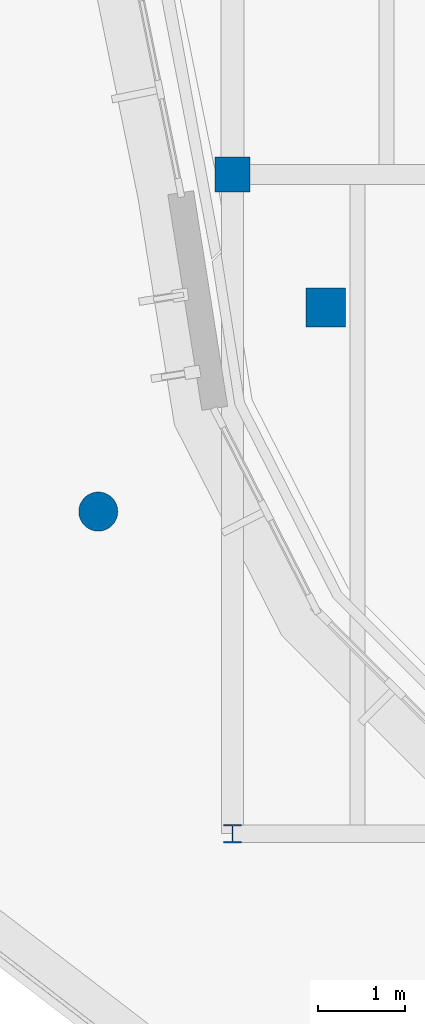
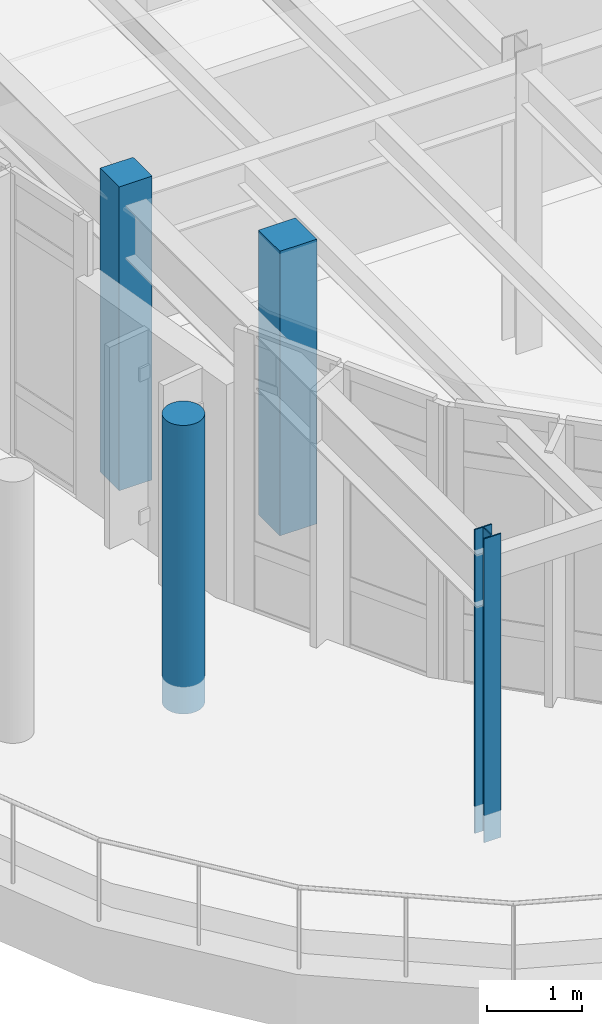
# One storey, part 5 of 111: 4 columns.
"""IFC4 building model written with IfcOpenShell, lengths in metres."""

import ifcopenshell
import ifcopenshell.guid

model = None  # the IFC model being written
_history = None  # IfcOwnerHistory: only IFC2X3 demands one
_inside = {}  # id of a spatial element -> (the spatial element, [elements in it])
_under = {}  # id of a project, library or spatial element -> (it, [spatial elements below it])
_declared = {}  # id of a project -> (the project, [libraries it declares])
_typed = {}  # id of a type object -> (the type object, [elements of that type])
_made_of = {}  # id of a material, layer set ... -> (it, [elements and type objects made of it])


def new_model(schema):
    """Start an empty IFC model of exactly this schema.

    Asked for "IFC4X3", IfcOpenShell would pick the latest addendum, in which some entities
    have other attributes; the version numbers below select the first issue.
    IFC2X3 requires an IfcOwnerHistory on every rooted entity: one is made here for all.
    """
    global model, _history
    if schema == "IFC4X3":
        model = ifcopenshell.file(schema_version=(4, 3, 0, 0))
    else:
        model = ifcopenshell.file(schema=schema)
    _inside.clear()
    _under.clear()
    _declared.clear()
    _typed.clear()
    _made_of.clear()
    _history = None
    if model.schema == "IFC2X3":
        org = make("IfcOrganization", Name="unknown")
        user = make(
            "IfcPersonAndOrganization",
            ThePerson=make("IfcPerson", FamilyName="unknown"),
            TheOrganization=org,
        )
        app = make(
            "IfcApplication",
            ApplicationDeveloper=org,
            Version="unknown",
            ApplicationFullName="unknown",
            ApplicationIdentifier="unknown",
        )
        _history = make(
            "IfcOwnerHistory",
            OwningUser=user,
            OwningApplication=app,
            ChangeAction="ADDED",
            CreationDate=0,
        )
    return model


def make(cls, **values):
    """One entity of the class cls with the attributes given. An attribute that is None is left unset."""
    return model.create_entity(
        cls, **{name: value for name, value in values.items() if value is not None}
    )


def rooted(cls, **values):
    """An entity with a GlobalId (a new one), such as an element, a storey or a relation."""
    return make(cls, GlobalId=ifcopenshell.guid.new(), OwnerHistory=_history, **values)


def si_unit(unit_type, name, prefix=None):
    """IfcSIUnit, for example si_unit("LENGTHUNIT", "METRE", prefix="MILLI")."""
    return make("IfcSIUnit", UnitType=unit_type, Prefix=prefix, Name=name)


def assignment(units):
    """IfcUnitAssignment: the units of a project."""
    return None if units is None else make("IfcUnitAssignment", Units=units)


def point(xyz):
    """IfcCartesianPoint."""
    return None if xyz is None else make("IfcCartesianPoint", Coordinates=xyz)


def direction(xyz):
    """IfcDirection."""
    return None if xyz is None else make("IfcDirection", DirectionRatios=xyz)


def frame(location, z_axis=None, x_axis=None):
    """IfcAxis2Placement3D, a coordinate frame: its origin and axes. An axis left out is left unset."""
    return make(
        "IfcAxis2Placement3D",
        Location=point(location),
        Axis=direction(z_axis),
        RefDirection=direction(x_axis),
    )


def frame_2d(location, x_axis=None):
    """IfcAxis2Placement2D, a coordinate frame in the plane: its origin and x axis."""
    return make(
        "IfcAxis2Placement2D", Location=point(location), RefDirection=direction(x_axis)
    )


def origin():
    """The frame at (0, 0, 0) with its axes left unset."""
    return frame((0.0, 0.0, 0.0))


def origin_2d():
    """The frame at (0, 0) in the plane with its x axis left unset."""
    return frame_2d((0.0, 0.0))


def place(relative_to, where):
    """IfcLocalPlacement: puts the frame where relative to a parent placement (None: the world)."""
    return make(
        "IfcLocalPlacement", PlacementRelTo=relative_to, RelativePlacement=where
    )


def context(
    kind, dimensions, precision=None, world=None, true_north=None, identifier=None
):
    """IfcGeometricRepresentationContext, for example the 3D "Model" context."""
    return make(
        "IfcGeometricRepresentationContext",
        ContextIdentifier=identifier,
        ContextType=kind,
        CoordinateSpaceDimension=dimensions,
        Precision=precision,
        WorldCoordinateSystem=world,
        TrueNorth=true_north,
    )


def subcontext(parent, identifier, kind, view, scale=None):
    """IfcGeometricRepresentationSubContext, for example "Body" below "Model"."""
    return make(
        "IfcGeometricRepresentationSubContext",
        ContextIdentifier=identifier,
        ContextType=kind,
        ParentContext=parent,
        TargetScale=scale,
        TargetView=view,
    )


def project(units=None, contexts=None):
    """IfcProject with its units and contexts."""
    return rooted(
        "IfcProject",
        Name="project",
        RepresentationContexts=contexts,
        UnitsInContext=assignment(units),
    )


def spatial(cls, under=None, at=None, **own):
    """A site, building, storey or space (cls), placed at a placement, below another one or the project."""
    s = rooted(cls, ObjectPlacement=at, **own)
    if under is not None:
        _under.setdefault(under.id(), (under, []))[1].append(s)
    return s


def profile(cls, at=None, kind="AREA", **sizes):
    """A parametric profile (cls). Its sizes go by their IFC names, for example OverallWidth=200.0."""
    return make(cls, ProfileType=kind, Position=at, **sizes)


def rectangle(**sizes):
    """IfcRectangleProfileDef."""
    return profile("IfcRectangleProfileDef", **sizes)


def circle(**sizes):
    """IfcCircleProfileDef."""
    return profile("IfcCircleProfileDef", **sizes)


def i_section(**sizes):
    """IfcIShapeProfileDef."""
    return profile("IfcIShapeProfileDef", **sizes)


def extrude(swept, where, along, depth):
    """IfcExtrudedAreaSolid: the profile swept, set in the frame where, extruded along a direction by depth."""
    return make(
        "IfcExtrudedAreaSolid",
        SweptArea=swept,
        Position=where,
        ExtrudedDirection=direction(along),
        Depth=depth,
    )


def shape(context_of_items, identifier, shape_type, items):
    """IfcShapeRepresentation: the items that make up one representation, for example the "Body"."""
    return make(
        "IfcShapeRepresentation",
        ContextOfItems=context_of_items,
        RepresentationIdentifier=identifier,
        RepresentationType=shape_type,
        Items=items,
    )


def material(Name=None, Category=None):
    """IfcMaterial."""
    return make("IfcMaterial", Name=Name, Category=Category)


def material_profile(
    of_material, cross_section, Name=None, Category=None, Priority=None
):
    """IfcMaterialProfile: a cross section and its material."""
    return make(
        "IfcMaterialProfile",
        Name=Name,
        Material=of_material,
        Profile=cross_section,
        Priority=Priority,
        Category=Category,
    )


def profile_set(profiles, Name=None, composite=None):
    """IfcMaterialProfileSet."""
    return make(
        "IfcMaterialProfileSet",
        Name=Name,
        MaterialProfiles=profiles,
        CompositeProfile=composite,
    )


def made_of(thing, what):
    """Note that an element or type object is made of a material, layer set ...; save() writes the relation."""
    if what is not None:
        _made_of.setdefault(what.id(), (what, []))[1].append(thing)
    return thing


def type_object(cls, material=None, **own):
    """A type object (cls), such as IfcWallType, which elements share."""
    return made_of(rooted(cls, **own), material)


def element(
    cls,
    number,
    at=None,
    inside=None,
    cuts=None,
    type_object=None,
    material=None,
    context=None,
    identifier="Body",
    shape_type=None,
    held_by="IfcProductDefinitionShape",
    body=None,
    shapes=None,
    **own,
):
    """One element of the class cls, such as IfcWall. Its Tag is "e" and its number.

    at: its placement. inside: the storey or other place that contains it. cuts: it is an
    opening in that element (IfcRelVoidsElement). A single representation is given by context,
    identifier, shape_type and body (its items); several are given by shapes. held_by: the class
    of the entity that holds the representations. save() writes the other relations.
    """
    e = rooted(cls, Tag="e%d" % number, ObjectPlacement=at, **own)
    if body is not None:
        shapes = [shape(context, identifier, shape_type, body)]
    if shapes is not None:
        e.Representation = make(held_by, Representations=shapes)
    if inside is not None:
        _inside.setdefault(inside.id(), (inside, []))[1].append(e)
    if cuts is not None:
        rooted(
            "IfcRelVoidsElement", RelatingBuildingElement=cuts, RelatedOpeningElement=e
        )
    if type_object is not None:
        _typed.setdefault(type_object.id(), (type_object, []))[1].append(e)
    return made_of(e, material)


def aggregate(whole, parts):
    """IfcRelAggregates: a whole, such as a stair, and the parts it consists of."""
    return rooted("IfcRelAggregates", RelatingObject=whole, RelatedObjects=parts)


def save(model, path):
    """Write the relations noted so far, then the file.

    IfcRelAggregates (storeys below a building ...), IfcRelContainedInSpatialStructure (elements
    in a storey), IfcRelDefinesByType, IfcRelAssociatesMaterial and IfcRelDeclares: one each for
    every whole, place, type object, material and project.
    """
    for whole, parts in _under.values():
        aggregate(whole, parts)
    for where, things in _inside.values():
        rooted(
            "IfcRelContainedInSpatialStructure",
            RelatedElements=things,
            RelatingStructure=where,
        )
    for kind, things in _typed.values():
        rooted("IfcRelDefinesByType", RelatedObjects=things, RelatingType=kind)
    for what, things in _made_of.values():
        rooted("IfcRelAssociatesMaterial", RelatedObjects=things, RelatingMaterial=what)
    for by, libraries in _declared.values():
        rooted("IfcRelDeclares", RelatingContext=by, RelatedDefinitions=libraries)
    model.write(path)


model = new_model("IFC4")

# Units and contexts
model_context = context("Model", 3, precision=1e-05, world=origin(), true_north=direction((0.0, 1.0)))
body_context = subcontext(model_context, "Body", "Model", "MODEL_VIEW")
ifc_project = project(units=[si_unit("LENGTHUNIT", "METRE"), si_unit("AREAUNIT", "SQUARE_METRE"), si_unit("VOLUMEUNIT", "CUBIC_METRE"), si_unit("PLANEANGLEUNIT", "RADIAN"), si_unit("MASSUNIT", "GRAM", prefix="KILO")], contexts=[model_context])

# Site, building, storey
site_placement = place(None, origin())
site = spatial("IfcSite", under=ifc_project, at=site_placement, CompositionType="ELEMENT")
building_placement = place(site_placement, origin())
building = spatial("IfcBuilding", under=site, at=building_placement, Name="Corveleigh Park Community Centre", CompositionType="ELEMENT")
storey_placement = place(building_placement, frame((0.0, 0.0, 4.800048828125)))
storey = spatial("IfcBuildingStorey", under=building, at=storey_placement, Name="L01", CompositionType="ELEMENT", Elevation=4.800048828125)

# Columns
ifc_material_1 = material(Name="Concrete C40/50", Category="concrete")
ifc_material_profile_1 = material_profile(ifc_material_1, rectangle(XDim=0.39990234375, YDim=0.39990234375, at=origin_2d()), Name="RC-400x400", Category="concrete")
ifc_profile_set_1 = profile_set([ifc_material_profile_1], Name="Concrete C40/50")
column_type_1 = type_object("IfcColumnType", Name="COL-RC-400x400", PredefinedType="COLUMN", material=ifc_profile_set_1)
column_1_placement = place(storey_placement, frame((134.60009765625, 66.199951171875, 0.0), z_axis=(0.0, 0.0, 1.0), x_axis=(1.0, 0.0, 0.0)))
element("IfcColumn", 1, at=column_1_placement, inside=storey, type_object=column_type_1, Name="Column V4-X1Y1 L01", PredefinedType="COLUMN", context=body_context, shape_type="SweptSolid", body=[
    extrude(rectangle(XDim=0.39990234375, YDim=0.39990234375, at=origin_2d()), origin(), (0.0, 0.0, 1.0), 3.89990234375),
])
ifc_material_profile_2 = material_profile(ifc_material_1, rectangle(XDim=0.449951171875, YDim=0.449951171875, at=origin_2d()), Name="RC-450x450", Category="concrete")
ifc_profile_set_2 = profile_set([ifc_material_profile_2], Name="Concrete C40/50")
column_type_2 = type_object("IfcColumnType", Name="COL-RC-450x450", PredefinedType="COLUMN", material=ifc_profile_set_2)
column_2_placement = place(storey_placement, frame((135.674072265625, 64.6640625, 0.0), z_axis=(0.0, 0.0, 1.0), x_axis=(1.0, 0.0, 0.0)))
element("IfcColumn", 2, at=column_2_placement, inside=storey, type_object=column_type_2, Name="External deck support pier 131 L01", PredefinedType="COLUMN", context=body_context, shape_type="SweptSolid", body=[
    extrude(rectangle(XDim=0.449951171875, YDim=0.449951171875, at=origin_2d()), origin(), (0.0, 0.0, 1.0), 3.65283203125),
])
ifc_material_profile_3 = material_profile(ifc_material_1, circle(Radius=0.22509765625, at=origin_2d()), Name="RC-450D", Category="concrete")
ifc_profile_set_3 = profile_set([ifc_material_profile_3], Name="Concrete C40/50")
column_type_3 = type_object("IfcColumnType", Name="COL-RCE-450D", PredefinedType="COLUMN", material=ifc_profile_set_3)
column_3_placement = place(storey_placement, frame((133.052001953125, 62.31396484375, 0.0), z_axis=(0.0, 0.0, 1.0), x_axis=(1.0, 0.0, 0.0)))
element("IfcColumn", 3, at=column_3_placement, inside=storey, type_object=column_type_3, Name="External deck support pier 254 L01", PredefinedType="COLUMN", context=body_context, shape_type="SweptSolid", body=[
    extrude(circle(Radius=0.22509765625, at=origin_2d()), origin(), (0.0, 0.0, 1.0), 3.703857421875),
])
ifc_material_2 = material(Name="Steel S355", Category="steel")
ifc_material_profile_4 = material_profile(ifc_material_2, i_section(OverallWidth=0.205810546875, OverallDepth=0.209716796875, WebThickness=0.009521484375, FlangeThickness=0.01416015625, at=origin_2d()), Name="UKC 203x203x60", Category="steel")
ifc_profile_set_4 = profile_set([ifc_material_profile_4], Name="Steel S355")
column_type_4 = type_object("IfcColumnType", Name="COL-STL-UKC203x60", PredefinedType="COLUMN", material=ifc_profile_set_4)
column_4_placement = place(storey_placement, frame((134.60009765625, 58.60009765625, 0.0), z_axis=(0.0, 0.0, 1.0), x_axis=(1.0, 0.0, 0.0)))
element("IfcColumn", 4, at=column_4_placement, inside=storey, type_object=column_type_4, Name="Column V4-X1Y0 L01", PredefinedType="COLUMN", context=body_context, shape_type="SweptSolid", body=[
    extrude(i_section(OverallWidth=0.205810546875, OverallDepth=0.209716796875, WebThickness=0.009521484375, FlangeThickness=0.01416015625, at=origin_2d()), origin(), (0.0, 0.0, 1.0), 3.89990234375),
])

save(model, "model.ifc")
